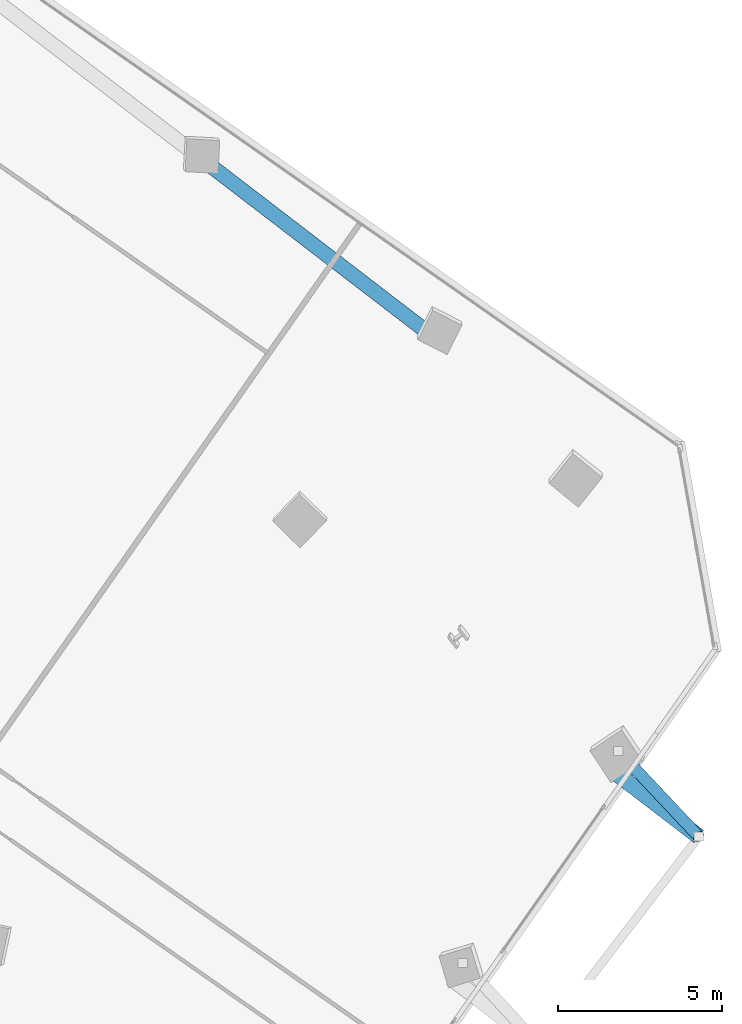
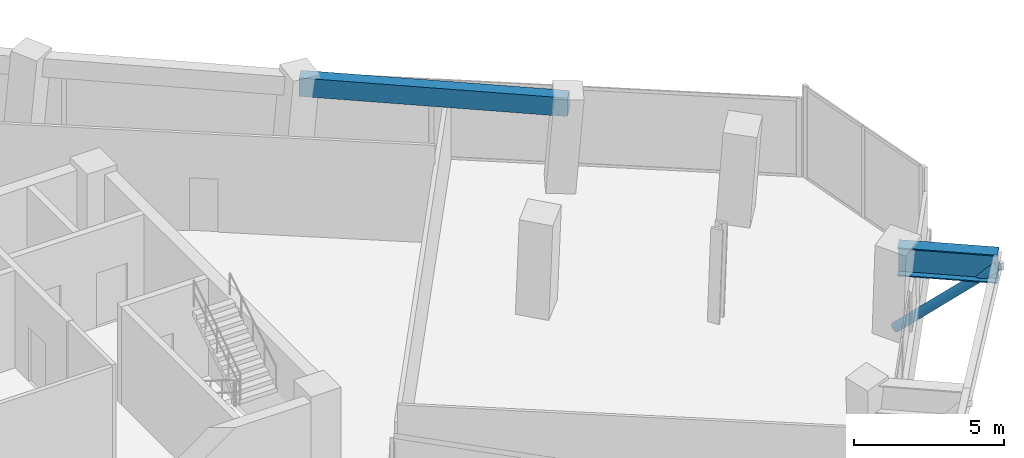
# One storey, part 9 of 21: 2 beams, 1 member.
"""IFC4 building model written with IfcOpenShell, lengths in metres."""

from ifc_helpers import new_model, si_unit, direction, frame, origin, origin_2d, place, context, subcontext, project, spatial, rectangle, hollow_circle, i_section, extrude, source, transform, mapped, material, material_profile, profile_set, type_object, element, save


model = new_model("IFC4")

# Units and contexts
model_context = context("Model", 3, precision=1e-05, world=origin(), true_north=direction((0.0, 1.0)))
body_context = subcontext(model_context, "Body", "Model", "MODEL_VIEW")
ifc_project = project(units=[si_unit("LENGTHUNIT", "METRE"), si_unit("AREAUNIT", "SQUARE_METRE"), si_unit("VOLUMEUNIT", "CUBIC_METRE"), si_unit("PLANEANGLEUNIT", "RADIAN"), si_unit("MASSUNIT", "GRAM", prefix="KILO")], contexts=[model_context])

# Site, building, storey
site_placement = place(None, origin())
site = spatial("IfcSite", under=ifc_project, at=site_placement, CompositionType="ELEMENT")
building_placement = place(site_placement, origin())
building = spatial("IfcBuilding", under=site, at=building_placement, Name="Torre Montelarca", CompositionType="ELEMENT")
storey_placement = place(building_placement, frame((0.0, 0.0, 200.199951171875)))
storey = spatial("IfcBuildingStorey", under=building, at=storey_placement, Name="L45", CompositionType="ELEMENT", Elevation=200.199951171875)

# Member
ifc_material_1 = material(Name="Steel ASTM A500 Grade C", Category="steel")
ifc_material_profile_1 = material_profile(ifc_material_1, hollow_circle(Radius=0.177734375, WallThickness=0.015869140625, at=origin_2d()), Name="HSS355.6X15.9", Category="steel")
ifc_profile_set_1 = profile_set([ifc_material_profile_1], Name="Steel ASTM A500 Grade C")
member_type = type_object("IfcMemberType", Name="MB-BR-CHS356-EXT", PredefinedType="BRACE", material=ifc_profile_set_1)
shared_shape_1 = source(origin(), body_context, "Body", "SweptSolid", [
    extrude(hollow_circle(Radius=0.177734375, WallThickness=0.015869140625, at=origin_2d()), origin(), (0.0, 0.0, 1.0), 4.8232421875),
])
member_placement = place(storey_placement, frame((47.601318359375, 22.781982421875, 0.150146484375), z_axis=(0.508046455355, -0.540441566586, 0.670680037207), x_axis=(0.728606554353, 0.684932470361, 0.0)))
element("IfcMember", 1, at=member_placement, inside=storey, type_object=member_type, Name="L46 Sliding Tray Exterior Diagonal Raker Strut E3", PredefinedType="BRACE", context=body_context, shape_type="MappedRepresentation", body=[
    mapped(shared_shape_1, transform((0.0, 0.0, 0.0), scale=1.0)),
])

# Beams
ifc_material_2 = material(Name="Steel ASTM A572 Grade 50", Category="steel")
ifc_material_profile_2 = material_profile(ifc_material_2, i_section(OverallWidth=0.47998046875, OverallDepth=1.14990234375, WebThickness=0.02197265625, FlangeThickness=0.044921875, at=origin_2d()), Name="PG1150X480X22X45", Category="steel")
ifc_profile_set_2 = profile_set([ifc_material_profile_2], Name="Steel ASTM A572 Grade 50")
beam_type_1 = type_object("IfcBeamType", Name="BM-CG-PG1400-EXT", PredefinedType="USERDEFINED", material=ifc_profile_set_2)
shared_shape_2 = source(origin(), body_context, "Body", "SweptSolid", [
    extrude(i_section(OverallWidth=0.47998046875, OverallDepth=1.14990234375, WebThickness=0.02197265625, FlangeThickness=0.044921875, at=origin_2d()), origin(), (0.0, 0.0, 1.0), 3.349853515625),
])
beam_1_placement = place(storey_placement, frame((47.39404296875, 22.214599609375, 3.385009765625), z_axis=(0.793357620002, -0.608755851541, 0.0), x_axis=(0.608755851541, 0.793357620002, 0.0)))
element("IfcBeam", 2, at=beam_1_placement, inside=storey, type_object=beam_type_1, Name="L45 Sliding Tray Cantilever Girder East Y=40m (FLR)", ObjectType="CANTILEVER GIRDER", PredefinedType="USERDEFINED", context=body_context, shape_type="MappedRepresentation", body=[
    mapped(shared_shape_2, transform((0.0, 0.0, 0.0), scale=1.0)),
])
ifc_material_3 = material(Name="Concrete C55/67", Category="concrete")
ifc_material_profile_3 = material_profile(ifc_material_3, rectangle(XDim=0.449951171875, YDim=0.75, at=origin_2d()), Name="RCB450X750", Category="concrete")
ifc_profile_set_3 = profile_set([ifc_material_profile_3], Name="Concrete C55/67")
beam_type_2 = type_object("IfcBeamType", Name="BM-SP-RC750-EXT", PredefinedType="SPANDREL", material=ifc_profile_set_3)
shared_shape_3 = source(origin(), body_context, "Body", "SweptSolid", [
    extrude(rectangle(XDim=0.449951171875, YDim=0.75, at=origin_2d()), origin(), (0.0, 0.0, 1.0), 9.0),
])
beam_2_placement = place(storey_placement, frame((35.086181640625, 40.671142578125, 3.5849609375), z_axis=(0.793356551293, -0.608757244327, 0.0), x_axis=(0.608757244327, 0.793356551293, 0.0)))
element("IfcBeam", 3, at=beam_2_placement, inside=storey, type_object=beam_type_2, Name="L45 Grid Girder X 27.0-36.0 at Y=47.1", PredefinedType="SPANDREL", context=body_context, shape_type="MappedRepresentation", body=[
    mapped(shared_shape_3, transform((0.0, 0.0, 0.0), scale=1.0)),
])

save(model, "model.ifc")
